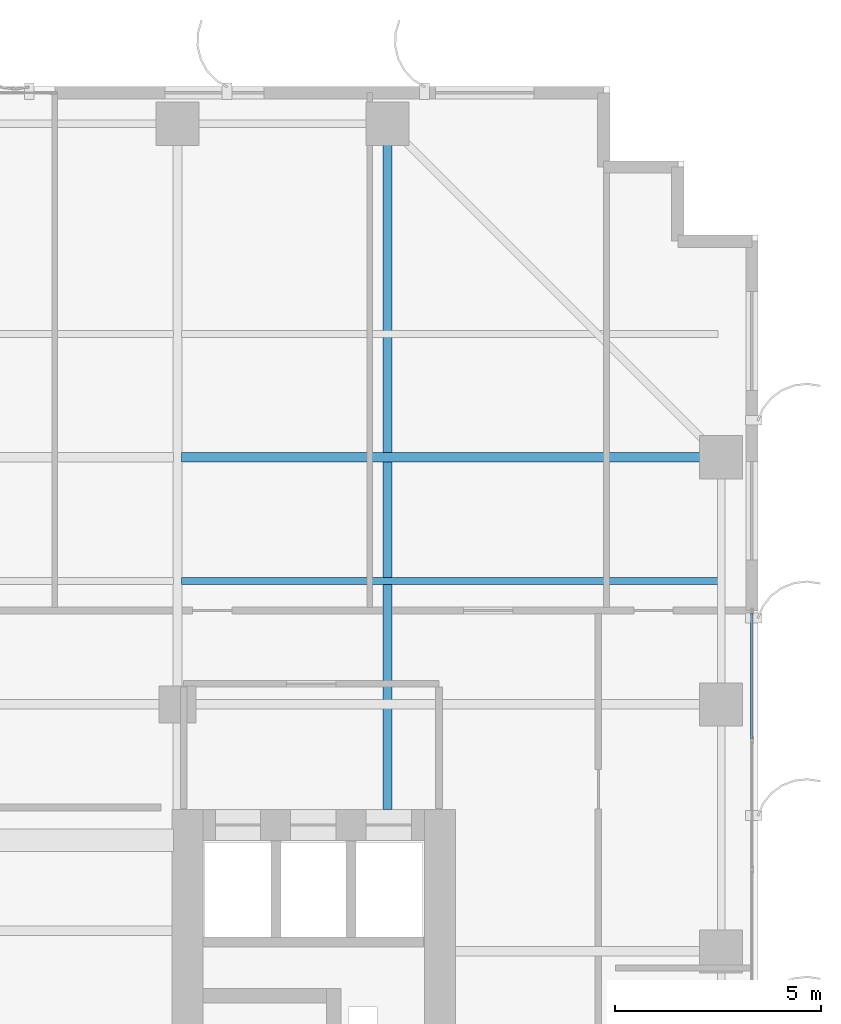
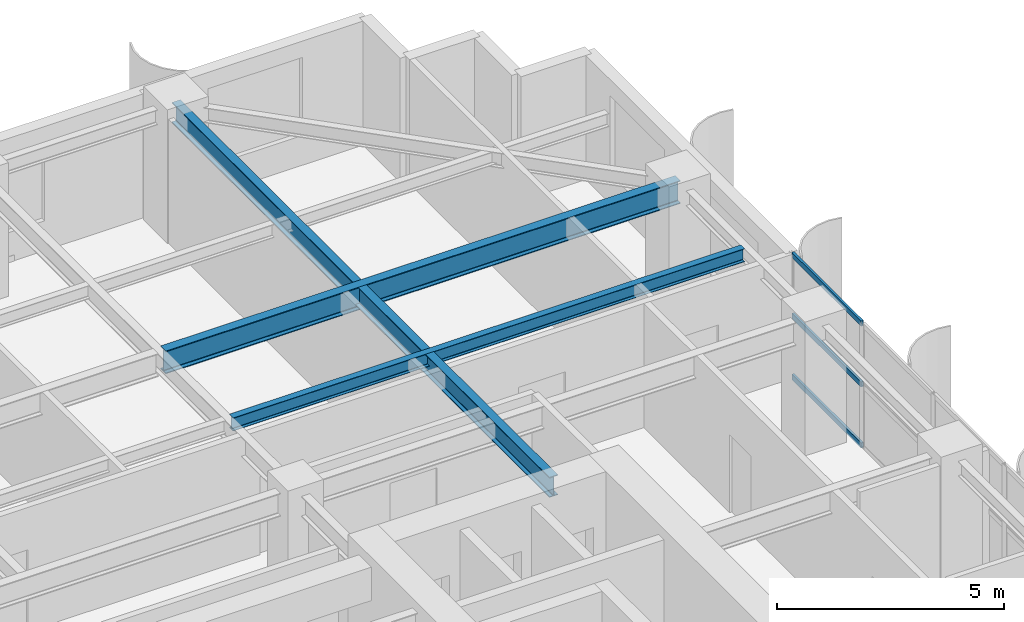
# One storey, part 17 of 27: 3 beams, 3 members, 1 element without a shape of its own.
"""IFC4 building model written with IfcOpenShell, lengths in metres."""

from ifc_helpers import new_model, si_unit, direction, frame, origin, origin_2d, place, context, subcontext, project, spatial, hollow_rectangle, i_section, extrude, source, transform, mapped, material, layer, layer_set, material_profile, profile_set, type_object, element, aggregate, save


model = new_model("IFC4")

# Units and contexts
model_context = context("Model", 3, precision=1e-05, world=origin(), true_north=direction((0.0, 1.0)))
body_context = subcontext(model_context, "Body", "Model", "MODEL_VIEW")
ifc_project = project(units=[si_unit("LENGTHUNIT", "METRE"), si_unit("AREAUNIT", "SQUARE_METRE"), si_unit("VOLUMEUNIT", "CUBIC_METRE"), si_unit("PLANEANGLEUNIT", "RADIAN"), si_unit("MASSUNIT", "GRAM", prefix="KILO")], contexts=[model_context])

# Site, building, storey
site_placement = place(None, origin())
site = spatial("IfcSite", under=ifc_project, at=site_placement, CompositionType="ELEMENT")
building_placement = place(site_placement, origin())
building = spatial("IfcBuilding", under=site, at=building_placement, Name="Khoralis Quay Care Tower", CompositionType="ELEMENT")
storey_placement = place(building_placement, frame((0.0, 0.0, 105.300048828125)))
storey = spatial("IfcBuildingStorey", under=building, at=storey_placement, Name="L27", CompositionType="ELEMENT", Elevation=105.300048828125)

# Beams
ifc_material_1 = material(Name="Steel S355", Category="steel")
ifc_material_profile_1 = material_profile(ifc_material_1, i_section(OverallWidth=0.22998046875, OverallDepth=0.616943359375, WebThickness=0.01318359375, FlangeThickness=0.022216796875, FilletRadius=0.01806640625, at=origin_2d()), Name="Steel S355")
ifc_profile_set_1 = profile_set([ifc_material_profile_1], Name="Steel S355")
beam_type_1 = type_object("IfcBeamType", Name="BM-W610X140", PredefinedType="BEAM", material=ifc_profile_set_1)
shared_shape_1 = source(origin(), body_context, "Body", "SweptSolid", [
    extrude(i_section(OverallWidth=0.22998046875, OverallDepth=0.616943359375, WebThickness=0.01318359375, FlangeThickness=0.022216796875, FilletRadius=0.01806640625, at=origin_2d()), origin(), (0.0, 0.0, 1.0), 13.106201171875),
])
beam_1_placement = place(storey_placement, frame((30.993896484375, 36.0, 3.031494140625), z_axis=(1.0, 0.0, 0.0), x_axis=(0.0, 1.0, 0.0)))
element("IfcBeam", 1, at=beam_1_placement, inside=storey, type_object=beam_type_1, Name="BM-TGXE-L27-360", PredefinedType="BEAM", context=body_context, shape_type="MappedRepresentation", body=[
    mapped(shared_shape_1, transform((0.0, 0.0, 0.0), scale=1.0)),
])
ifc_material_profile_2 = material_profile(ifc_material_1, i_section(OverallWidth=0.2119140625, OverallDepth=0.5439453125, WebThickness=0.01318359375, FlangeThickness=0.021240234375, FilletRadius=0.01611328125, at=origin_2d()), Name="Steel S355")
ifc_profile_set_2 = profile_set([ifc_material_profile_2], Name="Steel S355")
beam_type_2 = type_object("IfcBeamType", Name="BM-W530X123", PredefinedType="BEAM", material=ifc_profile_set_2)
shared_shape_2 = source(origin(), body_context, "Body", "SweptSolid", [
    extrude(i_section(OverallWidth=0.2119140625, OverallDepth=0.5439453125, WebThickness=0.01318359375, FlangeThickness=0.021240234375, FilletRadius=0.01611328125, at=origin_2d()), origin(), (0.0, 0.0, 1.0), 16.652099609375),
])
beam_2_placement = place(storey_placement, frame((36.0, 27.447998046875, 3.06787109375), z_axis=(0.0, 1.0, 0.0), x_axis=(-1.0, 0.0, 0.0)))
element("IfcBeam", 2, at=beam_2_placement, inside=storey, type_object=beam_type_2, Name="BM-TGYN-L27-360", PredefinedType="BEAM", context=body_context, shape_type="MappedRepresentation", body=[
    mapped(shared_shape_2, transform((0.0, 0.0, 0.0), scale=1.0)),
])
ifc_material_profile_3 = material_profile(ifc_material_1, i_section(OverallWidth=0.1708984375, OverallDepth=0.35498046875, WebThickness=0.007080078125, FlangeThickness=0.01171875, FilletRadius=0.012939453125, at=origin_2d()), Name="Steel S355")
ifc_profile_set_3 = profile_set([ifc_material_profile_3], Name="Steel S355")
beam_type_3 = type_object("IfcBeamType", Name="BM-W360X51", PredefinedType="JOIST", material=ifc_profile_set_3)
shared_shape_3 = source(origin(), body_context, "Body", "SweptSolid", [
    extrude(i_section(OverallWidth=0.1708984375, OverallDepth=0.35498046875, WebThickness=0.007080078125, FlangeThickness=0.01171875, FilletRadius=0.012939453125, at=origin_2d()), origin(), (0.0, 0.0, 1.0), 13.030029296875),
])
beam_3_placement = place(storey_placement, frame((30.993896484375, 33.0, 3.162353515625), z_axis=(1.0, 0.0, 0.0), x_axis=(0.0, 1.0, 0.0)))
element("IfcBeam", 3, at=beam_3_placement, inside=storey, type_object=beam_type_3, Name="BM-TJS-L27-29", PredefinedType="JOIST", context=body_context, shape_type="MappedRepresentation", body=[
    mapped(shared_shape_3, transform((0.0, 0.0, 0.0), scale=1.0)),
])

# Curtain wall, members
ifc_material_2 = material(Name="Pale anodised aluminium", Category="aluminium")
ifc_layer = layer(ifc_material_2, 0.169921875)
ifc_layer_set = layer_set([ifc_layer], Name="Pale anodised aluminium")
curtain_wall_type = type_object("IfcCurtainWallType", Name="CW-SYS-Z2", PredefinedType="NOTDEFINED", material=ifc_layer_set)
curtain_wall_placement = place(storey_placement, origin())
curtain_wall = element("IfcCurtainWall", 4, at=curtain_wall_placement, inside=storey, type_object=curtain_wall_type, Name="L27 Unitised Curtain Wall CW-L27-P1-E5", PredefinedType="NOTDEFINED")
ifc_material_profile_4 = material_profile(ifc_material_2, hollow_rectangle(XDim=0.06005859375, YDim=0.139892578125, WallThickness=0.00390625, at=origin_2d()), Name="Pale anodised aluminium")
ifc_profile_set_4 = profile_set([ifc_material_profile_4], Name="Pale anodised aluminium")
member_type = type_object("IfcMemberType", Name="CW-TRN-140", PredefinedType="USERDEFINED", material=ifc_profile_set_4)
shared_shape_4 = source(origin(), body_context, "Body", "SweptSolid", [
    extrude(hollow_rectangle(XDim=0.06005859375, YDim=0.139892578125, WallThickness=0.00390625, at=origin_2d()), origin(), (0.0, 0.0, 1.0), 3.054931640625),
])
member_1_placement = place(storey_placement, frame((44.85009765625, 29.1650390625, 0.030029296875), z_axis=(0.0, 1.0, 0.0), x_axis=(-1.0, 0.0, 0.0)))
member_1 = element("IfcMember", 5, at=member_1_placement, type_object=member_type, Name="CW2 transom 4.1", ObjectType="TRANSOM", PredefinedType="USERDEFINED", context=body_context, shape_type="MappedRepresentation", body=[
    mapped(shared_shape_4, transform((0.0, 0.0, 0.0), scale=1.0)),
])
member_2_placement = place(storey_placement, frame((44.85009765625, 29.1650390625, 1.669921875), z_axis=(0.0, 1.0, 0.0), x_axis=(-1.0, 0.0, 0.0)))
member_2 = element("IfcMember", 6, at=member_2_placement, type_object=member_type, Name="CW2 transom 4.2", ObjectType="TRANSOM", PredefinedType="USERDEFINED", context=body_context, shape_type="MappedRepresentation", body=[
    mapped(shared_shape_4, transform((0.0, 0.0, 0.0), scale=1.0)),
])
member_3_placement = place(storey_placement, frame((44.85009765625, 29.1650390625, 3.31005859375), z_axis=(0.0, 1.0, 0.0), x_axis=(-1.0, 0.0, 0.0)))
member_3 = element("IfcMember", 7, at=member_3_placement, type_object=member_type, Name="CW2 transom 4.3", ObjectType="TRANSOM", PredefinedType="USERDEFINED", context=body_context, shape_type="MappedRepresentation", body=[
    mapped(shared_shape_4, transform((0.0, 0.0, 0.0), scale=1.0)),
])
aggregate(curtain_wall, [member_1, member_2, member_3])

save(model, "model.ifc")
